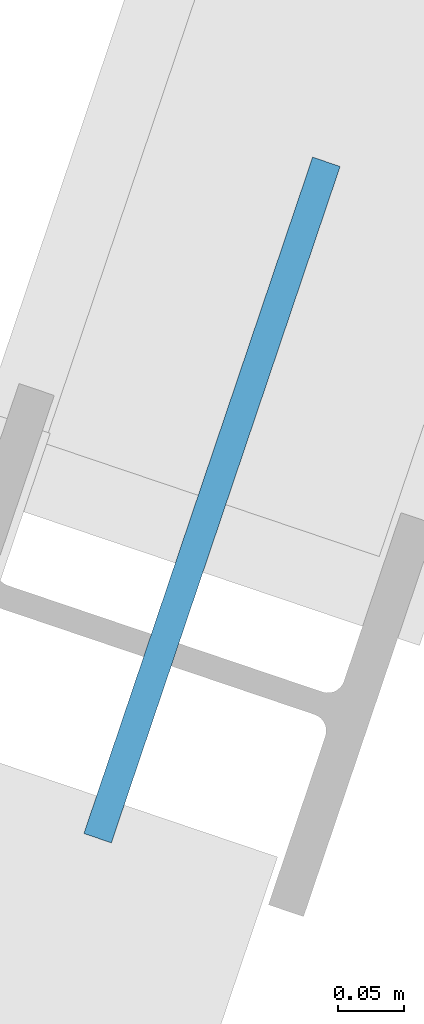
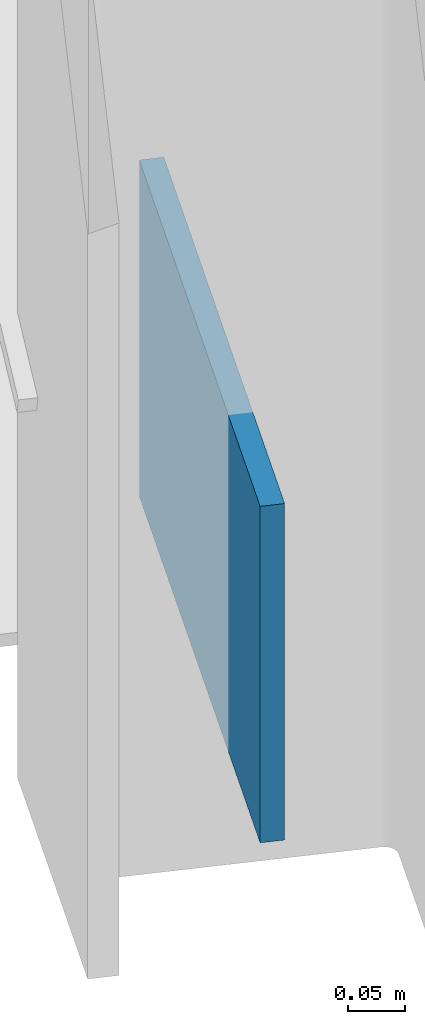
# One storey, part 82 of 109: 1 plate.
"""IFC4 building model written with IfcOpenShell, lengths in metres."""

from ifc_helpers import new_model, si_unit, direction, frame, origin, origin_2d, place, context, subcontext, project, spatial, rectangle, extrude, material, layer, layer_set, type_object, element, save


model = new_model("IFC4")

# Units and contexts
model_context = context("Model", 3, precision=1e-05, world=origin(), true_north=direction((0.0, 1.0)))
body_context = subcontext(model_context, "Body", "Model", "MODEL_VIEW")
ifc_project = project(units=[si_unit("LENGTHUNIT", "METRE"), si_unit("AREAUNIT", "SQUARE_METRE"), si_unit("VOLUMEUNIT", "CUBIC_METRE"), si_unit("PLANEANGLEUNIT", "RADIAN"), si_unit("MASSUNIT", "GRAM", prefix="KILO")], contexts=[model_context])

# Site, building, storey
site_placement = place(None, origin())
site = spatial("IfcSite", under=ifc_project, at=site_placement, CompositionType="ELEMENT")
building_placement = place(site_placement, origin())
building = spatial("IfcBuilding", under=site, at=building_placement, Name="Vireo Bluff Cable Station", CompositionType="ELEMENT")
storey_placement = place(building_placement, frame((0.0, 0.0, 4.800048828125)))
storey = spatial("IfcBuildingStorey", under=building, at=storey_placement, Name="L01", CompositionType="ELEMENT", Elevation=4.800048828125)

# Plate
ifc_material = material(Name="Steel ASTM A572 Gr. 50", Category="steel")
ifc_layer = layer(ifc_material, 0.02197265625, Name="Steel ASTM A572 Gr. 50")
ifc_layer_set = layer_set([ifc_layer], Name="Steel ASTM A572 Gr. 50")
plate_type = type_object("IfcPlateType", Name="GUSSET-540X360X22", PredefinedType="USERDEFINED", material=ifc_layer_set)
plate_placement = place(storey_placement, frame((115.55126953125, 62.8623046875, 0.1201171875), z_axis=(0.0, 0.0, 1.0), x_axis=(0.32035190998, 0.947298608556, 0.0)))
element("IfcPlate", 1, at=plate_placement, inside=storey, type_object=plate_type, Name="HAUL-DRIVE skybridge strut end plate 2LA", ObjectType="GUSSET PLATE", PredefinedType="USERDEFINED", context=body_context, shape_type="SweptSolid", body=[
    extrude(rectangle(XDim=0.5400390625, YDim=0.02197265625, at=origin_2d()), origin(), (0.0, 0.0, 1.0), 0.360107421875),
])

save(model, "model.ifc")
